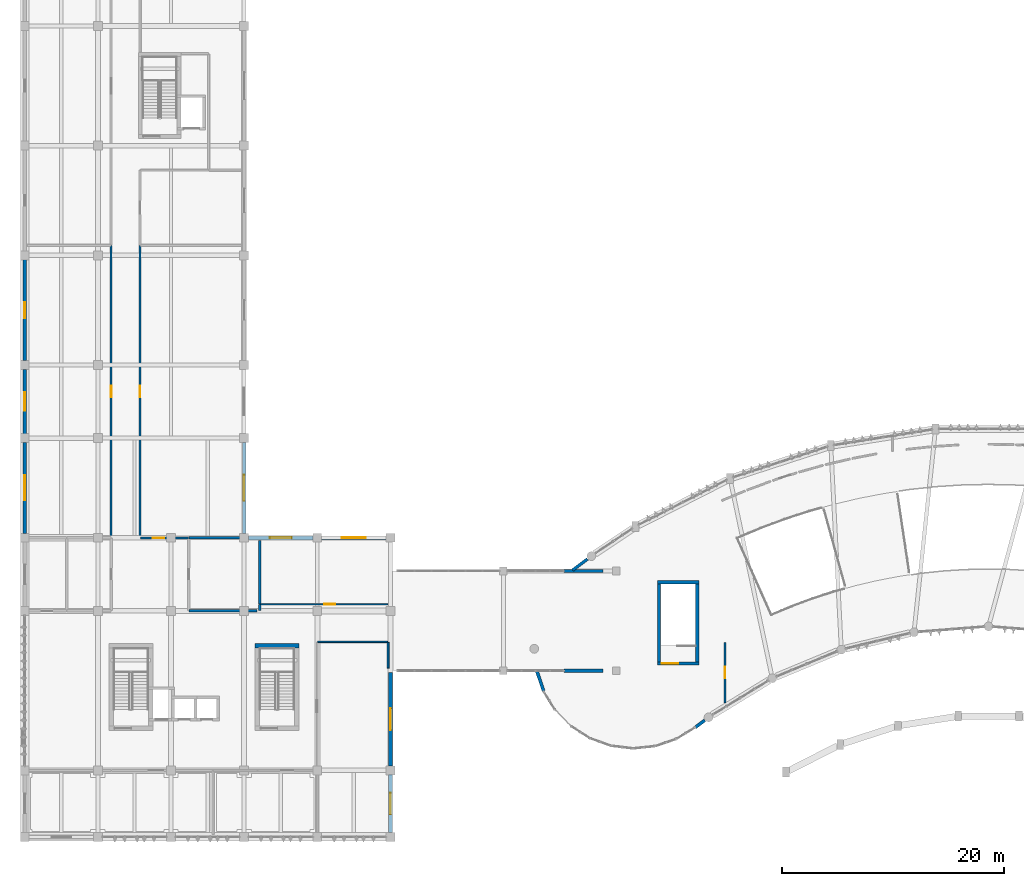
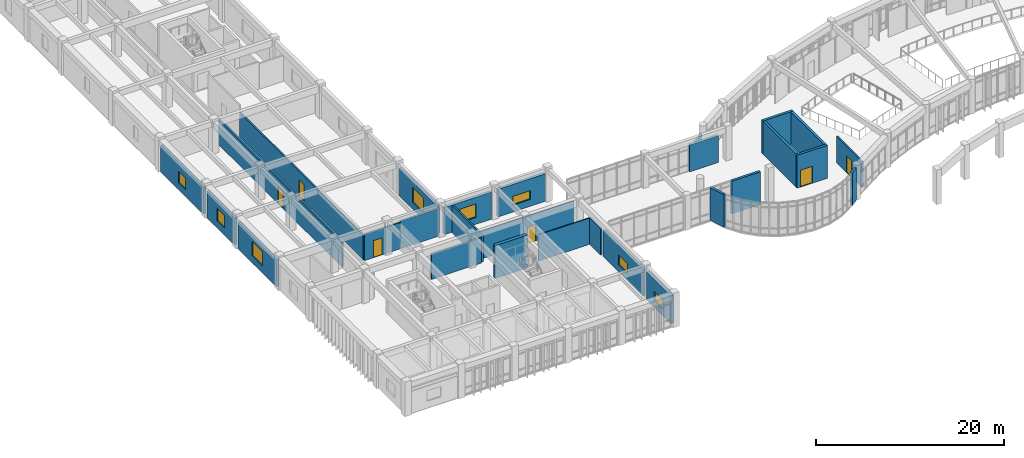
# One storey, part 42 of 54: 29 walls, 8 windows, 6 doors, 14 openings.
"""IFC4 building model written with IfcOpenShell, lengths in metres."""

from ifc_helpers import new_model, si_unit, direction, frame, frame_2d, origin, place, context, subcontext, project, spatial, rectangle, extrude, material, layer, layer_set, type_object, element, fill, save


model = new_model("IFC4")

# Units and contexts
model_context = context("Model", 3, precision=1e-05, world=origin(), true_north=direction((0.0, 1.0)))
body_context = subcontext(model_context, "Body", "Model", "MODEL_VIEW")
ifc_project = project(units=[si_unit("LENGTHUNIT", "METRE"), si_unit("AREAUNIT", "SQUARE_METRE"), si_unit("VOLUMEUNIT", "CUBIC_METRE"), si_unit("PLANEANGLEUNIT", "RADIAN"), si_unit("MASSUNIT", "GRAM", prefix="KILO")], contexts=[model_context])

# Site, building, storey
site_placement = place(None, origin())
site = spatial("IfcSite", under=ifc_project, at=site_placement, CompositionType="ELEMENT")
building_placement = place(site_placement, origin())
building = spatial("IfcBuilding", under=site, at=building_placement, Name="Miralva Faculty of Natural Sciences", CompositionType="ELEMENT")
storey_placement = place(building_placement, frame((0.0, 0.0, 19.5)))
storey = spatial("IfcBuildingStorey", under=building, at=storey_placement, Name="L04", CompositionType="ELEMENT", Elevation=19.5)

# Wall
ifc_material_1 = material(Name="Concrete C50/60", Category="concrete")
ifc_layer_1 = layer(ifc_material_1, 0.39990234375, Name="WL-CW01")
ifc_layer_set_1 = layer_set([ifc_layer_1], Name="Concrete C50/60")
wall_type_1 = type_object("IfcWallType", Name="WL-CW01", PredefinedType="SHEAR", material=ifc_layer_set_1)
wall_1_placement = place(storey_placement, frame((23.800048828125, 20.25, 0.0), z_axis=(0.0, 0.0, 1.0), x_axis=(1.0, 0.0, 0.0)))
element("IfcWall", 1, at=wall_1_placement, inside=storey, type_object=wall_type_1, Name="Core C1B shear wall north L04", PredefinedType="SHEAR", context=body_context, shape_type="SweptSolid", body=[
    extrude(rectangle(XDim=3.949951171875, YDim=0.39990234375, at=frame_2d((1.97509765625, 0.0))), origin(), (0.0, 0.0, 1.0), 4.280029296875),
])

# Wall, opening, door
ifc_material_2 = material(Name="Concrete C40/50", Category="concrete")
ifc_layer_2 = layer(ifc_material_2, 0.300048828125, Name="WL-CW03")
ifc_layer_set_2 = layer_set([ifc_layer_2], Name="Concrete C40/50")
wall_type_2 = type_object("IfcWallType", Name="WL-CW03", PredefinedType="SHEAR", material=ifc_layer_set_2)
wall_2_placement = place(storey_placement, frame((60.10009765625, 18.64990234375, 0.0), z_axis=(0.0, 0.0, 1.0), x_axis=(1.0, 0.0, 0.0)))
wall_2 = element("IfcWall", 2, at=wall_2_placement, inside=storey, type_object=wall_type_2, Name="Core C6 shear wall south L04", PredefinedType="SHEAR", context=body_context, shape_type="SweptSolid", body=[
    extrude(rectangle(XDim=3.75, YDim=0.300048828125, at=frame_2d((1.875, 0.0))), origin(), (0.0, 0.0, 1.0), 4.280029296875),
])
opening_1_placement = place(wall_2_placement, frame((0.39990234375, 0.0, 0.0)))
opening_1 = element("IfcOpeningElement", 3, at=opening_1_placement, cuts=wall_2, Name="Opening D-11", PredefinedType="OPENING", context=body_context, shape_type="SweptSolid", body=[
    extrude(rectangle(XDim=1.5, YDim=2.199951171875, at=frame_2d((0.75, 1.10009765625))), frame((0.0, 0.159912109375, 0.0), z_axis=(0.0, -1.0, 0.0), x_axis=(1.0, 0.0, 0.0)), (0.0, 0.0, 1.0), 0.320068359375),
])
ifc_material_3 = material(Name="Galvanised steel", Category="steel")
door_type_1 = type_object("IfcDoorType", Name="DR-DI11", OperationType="DOUBLE_DOOR_SINGLE_SWING", PredefinedType="DOOR", material=ifc_material_3)
door_1_placement = place(opening_1_placement, frame((1.5, 0.0, 0.0), z_axis=(0.0, 0.0, 1.0), x_axis=(-1.0, 0.0, 0.0)))
door_1 = element("IfcDoor", 4, at=door_1_placement, inside=storey, type_object=door_type_1, Name="Protected exit stair door Core C6 L04", OperationType="DOUBLE_DOOR_SINGLE_SWING", OverallHeight=2.199951171875, OverallWidth=1.5, PredefinedType="DOOR", context=body_context, shape_type="SweptSolid", body=[
    extrude(rectangle(XDim=1.5, YDim=2.199951171875, at=frame_2d((0.75, 1.10009765625))), frame((0.0, 0.02490234375, 0.0), z_axis=(0.0, -1.0, 0.0), x_axis=(1.0, 0.0, 0.0)), (0.0, 0.0, 1.0), 0.050048828125),
])
fill(opening_1, door_1)

# Walls
wall_3_placement = place(storey_placement, frame((60.10009765625, 26.0, 0.0), z_axis=(0.0, 0.0, 1.0), x_axis=(1.0, 0.0, 0.0)))
element("IfcWall", 5, at=wall_3_placement, inside=storey, type_object=wall_type_2, Name="Core C6 shear wall north L04", PredefinedType="SHEAR", context=body_context, shape_type="SweptSolid", body=[
    extrude(rectangle(XDim=3.75, YDim=0.300048828125, at=frame_2d((1.875, 0.0))), origin(), (0.0, 0.0, 1.0), 4.280029296875),
])
for number, where, z_axis, x_axis, name in (
    (6, (60.25, 18.800048828125, 0.0), (0.0, 0.0, 1.0), (0.0, 1.0, 0.0), "Core C6 shear wall west L04"),
    (7, (63.699951171875, 18.800048828125, 0.0), (0.0, 0.0, 1.0), (0.0, 1.0, 0.0), "Core C6 shear wall east L04"),
):
    element("IfcWall", number, at=place(storey_placement, frame(where, z_axis=z_axis, x_axis=x_axis)), inside=storey, type_object=wall_type_2, Name=name, PredefinedType="SHEAR", context=body_context, shape_type="SweptSolid", body=[
        extrude(rectangle(XDim=7.050048828125, YDim=0.300048828125, at=frame_2d((3.52490234375, 0.0))), origin(), (0.0, 0.0, 1.0), 4.280029296875),
    ])
ifc_material_4 = material(Name="Gypsum plasterboard")
ifc_layer_3 = layer(ifc_material_4, 0.179931640625, Name="WL-PT02")
ifc_layer_set_3 = layer_set([ifc_layer_3], Name="Gypsum plasterboard")
wall_type_3 = type_object("IfcWallType", Name="WL-PT02", PredefinedType="PARTITIONING", material=ifc_layer_set_3)
wall_4_placement = place(storey_placement, frame((35.800048828125, 18.22998046875, 0.0), z_axis=(0.0, 0.0, 1.0), x_axis=(0.0, 1.0, 0.0)))
element("IfcWall", 8, at=wall_4_placement, inside=storey, type_object=wall_type_3, Name="Interior partition PT-02 L04-405", PredefinedType="PARTITIONING", context=body_context, shape_type="SweptSolid", body=[
    extrude(rectangle(XDim=2.340087890625, YDim=0.179931640625, at=frame_2d((1.169921875, 0.0))), origin(), (0.0, 0.0, 1.0), 3.425048828125),
])

# Wall, opening, door
wall_5_placement = place(storey_placement, frame((13.429931640625, 30.0, 0.0), z_axis=(0.0, 0.0, 1.0), x_axis=(1.0, 0.0, 0.0)))
wall_5 = element("IfcWall", 9, at=wall_5_placement, inside=storey, type_object=wall_type_3, Name="Interior partition PT-02 L04-418", PredefinedType="PARTITIONING", context=body_context, shape_type="SweptSolid", body=[
    extrude(rectangle(XDim=4.340087890625, YDim=0.179931640625, at=frame_2d((2.169921875, 0.0))), origin(), (0.0, 0.0, 1.0), 3.425048828125),
])
opening_2_placement = place(wall_5_placement, frame((1.10498046875, 0.0, 0.0)))
opening_2 = element("IfcOpeningElement", 10, at=opening_2_placement, cuts=wall_5, Name="Opening D-15", PredefinedType="OPENING", context=body_context, shape_type="SweptSolid", body=[
    extrude(rectangle(XDim=1.050048828125, YDim=2.199951171875, at=frame_2d((0.52490234375, 1.10009765625))), frame((0.0, 0.099853515625, 0.0), z_axis=(0.0, -1.0, 0.0), x_axis=(1.0, 0.0, 0.0)), (0.0, 0.0, 1.0), 0.199951171875),
])
door_type_2 = type_object("IfcDoorType", Name="DR-DI15", OperationType="NOTDEFINED", PredefinedType="DOOR", material=ifc_material_3)
door_2_placement = place(opening_2_placement, origin())
door_2 = element("IfcDoor", 11, at=door_2_placement, inside=storey, type_object=door_type_2, Name="Interior door D-15 L04-155", OperationType="SINGLE_SWING_RIGHT", OverallHeight=2.199951171875, OverallWidth=1.050048828125, PredefinedType="DOOR", context=body_context, shape_type="SweptSolid", body=[
    extrude(rectangle(XDim=1.050048828125, YDim=2.199951171875, at=frame_2d((0.52490234375, 1.10009765625))), frame((0.0, 0.02490234375, 0.0), z_axis=(0.0, -1.0, 0.0), x_axis=(1.0, 0.0, 0.0)), (0.0, 0.0, 1.0), 0.050048828125),
])
fill(opening_2, door_2)

wall_6_placement = place(storey_placement, frame((66.199951171875, 15.104736328125, 0.0), z_axis=(0.0, 0.0, 1.0), x_axis=(0.0, 1.0, 0.0)))
wall_6 = element("IfcWall", 12, at=wall_6_placement, inside=storey, type_object=wall_type_3, Name="Interior partition PT-02 L04-439", PredefinedType="PARTITIONING", context=body_context, shape_type="SweptSolid", body=[
    extrude(rectangle(XDim=5.46533203125, YDim=0.179931640625, at=frame_2d((2.732666015625, 0.0))), origin(), (0.0, 0.0, 1.0), 3.405029296875),
])
opening_3_placement = place(wall_6_placement, frame((2.20751953125, 0.0, 0.0)))
opening_3 = element("IfcOpeningElement", 13, at=opening_3_placement, cuts=wall_6, Name="Opening D-15", PredefinedType="OPENING", context=body_context, shape_type="SweptSolid", body=[
    extrude(rectangle(XDim=1.050048828125, YDim=2.199951171875, at=frame_2d((0.52490234375, 1.10009765625))), frame((0.0, 0.099853515625, 0.0), z_axis=(0.0, -1.0, 0.0), x_axis=(1.0, 0.0, 0.0)), (0.0, 0.0, 1.0), 0.199951171875),
])
door_3_placement = place(opening_3_placement, origin())
door_3 = element("IfcDoor", 14, at=door_3_placement, inside=storey, type_object=door_type_2, Name="Interior door D-15 L04-157", OperationType="SINGLE_SWING_RIGHT", OverallHeight=2.199951171875, OverallWidth=1.050048828125, PredefinedType="DOOR", context=body_context, shape_type="SweptSolid", body=[
    extrude(rectangle(XDim=1.050048828125, YDim=2.199951171875, at=frame_2d((0.52490234375, 1.10009765625))), frame((0.0, 0.02490234375, 0.0), z_axis=(0.0, -1.0, 0.0), x_axis=(1.0, 0.0, 0.0)), (0.0, 0.0, 1.0), 0.050048828125),
])
fill(opening_3, door_3)

wall_7_placement = place(storey_placement, frame((10.800048828125, 30.030029296875, 0.0), z_axis=(0.0, 0.0, 1.0), x_axis=(0.0, 1.0, 0.0)))
wall_7 = element("IfcWall", 15, at=wall_7_placement, inside=storey, type_object=wall_type_3, Name="Interior partition PT-02 L04-443", PredefinedType="PARTITIONING", context=body_context, shape_type="SweptSolid", body=[
    extrude(rectangle(XDim=26.340087890625, YDim=0.179931640625, at=frame_2d((13.169921875, 0.0))), origin(), (0.0, 0.0, 1.0), 3.294921875),
])
opening_4_placement = place(wall_7_placement, frame((12.64501953125, 0.0, 0.0)))
opening_4 = element("IfcOpeningElement", 16, at=opening_4_placement, cuts=wall_7, Name="Opening D-15", PredefinedType="OPENING", context=body_context, shape_type="SweptSolid", body=[
    extrude(rectangle(XDim=1.050048828125, YDim=2.199951171875, at=frame_2d((0.52490234375, 1.10009765625))), frame((0.0, 0.099853515625, 0.0), z_axis=(0.0, -1.0, 0.0), x_axis=(1.0, 0.0, 0.0)), (0.0, 0.0, 1.0), 0.199951171875),
])
door_4_placement = place(opening_4_placement, origin())
door_4 = element("IfcDoor", 17, at=door_4_placement, inside=storey, type_object=door_type_2, Name="Interior door D-15 L04-161", OperationType="SINGLE_SWING_RIGHT", OverallHeight=2.199951171875, OverallWidth=1.050048828125, PredefinedType="DOOR", context=body_context, shape_type="SweptSolid", body=[
    extrude(rectangle(XDim=1.050048828125, YDim=2.199951171875, at=frame_2d((0.52490234375, 1.10009765625))), frame((0.0, 0.02490234375, 0.0), z_axis=(0.0, -1.0, 0.0), x_axis=(1.0, 0.0, 0.0)), (0.0, 0.0, 1.0), 0.050048828125),
])
fill(opening_4, door_4)

wall_8_placement = place(storey_placement, frame((13.39990234375, 30.030029296875, 0.0), z_axis=(0.0, 0.0, 1.0), x_axis=(0.0, 1.0, 0.0)))
wall_8 = element("IfcWall", 18, at=wall_8_placement, inside=storey, type_object=wall_type_3, Name="Interior partition PT-02 L04-445", PredefinedType="PARTITIONING", context=body_context, shape_type="SweptSolid", body=[
    extrude(rectangle(XDim=26.340087890625, YDim=0.179931640625, at=frame_2d((13.169921875, 0.0))), origin(), (0.0, 0.0, 1.0), 3.294921875),
])
opening_5_placement = place(wall_8_placement, frame((12.64501953125, 0.0, 0.0)))
opening_5 = element("IfcOpeningElement", 19, at=opening_5_placement, cuts=wall_8, Name="Opening D-15", PredefinedType="OPENING", context=body_context, shape_type="SweptSolid", body=[
    extrude(rectangle(XDim=1.050048828125, YDim=2.199951171875, at=frame_2d((0.52490234375, 1.10009765625))), frame((0.0, 0.099853515625, 0.0), z_axis=(0.0, -1.0, 0.0), x_axis=(1.0, 0.0, 0.0)), (0.0, 0.0, 1.0), 0.199951171875),
])
door_5_placement = place(opening_5_placement, origin())
door_5 = element("IfcDoor", 20, at=door_5_placement, inside=storey, type_object=door_type_2, Name="Interior door D-15 L04-162", OperationType="SINGLE_SWING_LEFT", OverallHeight=2.199951171875, OverallWidth=1.050048828125, PredefinedType="DOOR", context=body_context, shape_type="SweptSolid", body=[
    extrude(rectangle(XDim=1.050048828125, YDim=2.199951171875, at=frame_2d((0.52490234375, 1.10009765625))), frame((0.0, 0.02490234375, 0.0), z_axis=(0.0, -1.0, 0.0), x_axis=(1.0, 0.0, 0.0)), (0.0, 0.0, 1.0), 0.050048828125),
])
fill(opening_5, door_5)

# Wall
ifc_layer_4 = layer(ifc_material_4, 0.125, Name="WL-PT05")
ifc_layer_set_4 = layer_set([ifc_layer_4], Name="Gypsum plasterboard")
wall_type_4 = type_object("IfcWallType", Name="WL-PT05", PredefinedType="PARTITIONING", material=ifc_layer_set_4)
wall_9_placement = place(storey_placement, frame((29.429931640625, 20.60009765625, 0.0), z_axis=(0.0, 0.0, 1.0), x_axis=(1.0, 0.0, 0.0)))
element("IfcWall", 21, at=wall_9_placement, inside=storey, type_object=wall_type_4, Name="Interior partition PT-05 L04-404", PredefinedType="PARTITIONING", context=body_context, shape_type="SweptSolid", body=[
    extrude(rectangle(XDim=6.340087890625, YDim=0.125, at=frame_2d((3.169921875, 0.0))), origin(), (0.0, 0.0, 1.0), 3.425048828125),
])

# Wall, opening, door
wall_10_placement = place(storey_placement, frame((24.22998046875, 24.0, 0.0), z_axis=(0.0, 0.0, 1.0), x_axis=(1.0, 0.0, 0.0)))
wall_10 = element("IfcWall", 22, at=wall_10_placement, inside=storey, type_object=wall_type_4, Name="Interior partition PT-05 L04-417", PredefinedType="PARTITIONING", context=body_context, shape_type="SweptSolid", body=[
    extrude(rectangle(XDim=11.5400390625, YDim=0.125, at=frame_2d((5.77001953125, 0.0))), origin(), (0.0, 0.0, 1.0), 3.594970703125),
])
opening_6_placement = place(wall_10_placement, frame((5.81005859375, 0.0, 0.0)))
opening_6 = element("IfcOpeningElement", 23, at=opening_6_placement, cuts=wall_10, Name="Opening D-25", PredefinedType="OPENING", context=body_context, shape_type="SweptSolid", body=[
    extrude(rectangle(XDim=1.0, YDim=2.14990234375, at=frame_2d((0.5, 1.074951171875))), frame((0.0, 0.072509765625, 0.0), z_axis=(0.0, -1.0, 0.0), x_axis=(1.0, 0.0, 0.0)), (0.0, 0.0, 1.0), 0.14501953125),
])
ifc_material_5 = material(Name="Anodised aluminium", Category="aluminium")
door_type_3 = type_object("IfcDoorType", Name="DR-DI25", OperationType="NOTDEFINED", PredefinedType="DOOR", material=ifc_material_5)
door_6_placement = place(opening_6_placement, origin())
door_6 = element("IfcDoor", 24, at=door_6_placement, inside=storey, type_object=door_type_3, Name="Interior door D-25 L04-154", OperationType="SINGLE_SWING_LEFT", OverallHeight=2.14990234375, OverallWidth=1.0, PredefinedType="DOOR", context=body_context, shape_type="SweptSolid", body=[
    extrude(rectangle(XDim=1.0, YDim=2.14990234375, at=frame_2d((0.5, 1.074951171875))), frame((0.0, 0.02490234375, 0.0), z_axis=(0.0, -1.0, 0.0), x_axis=(1.0, 0.0, 0.0)), (0.0, 0.0, 1.0), 0.050048828125),
])
fill(opening_6, door_6)

# Walls
ifc_layer_5 = layer(ifc_material_4, 0.2099609375, Name="WL-PT06")
ifc_layer_set_5 = layer_set([ifc_layer_5], Name="Gypsum plasterboard")
wall_type_5 = type_object("IfcWallType", Name="WL-PT06", PredefinedType="PLUMBINGWALL", material=ifc_layer_set_5)
wall_11_placement = place(storey_placement, frame((24.199951171875, 24.030029296875, 0.0), z_axis=(0.0, 0.0, 1.0), x_axis=(0.0, 1.0, 0.0)))
element("IfcWall", 25, at=wall_11_placement, inside=storey, type_object=wall_type_5, Name="Interior partition PT-06 L04-412", PredefinedType="PLUMBINGWALL", context=body_context, shape_type="SweptSolid", body=[
    extrude(rectangle(XDim=5.739990234375, YDim=0.2099609375, at=frame_2d((2.8701171875, 0.0))), origin(), (0.0, 0.0, 1.0), 3.52490234375),
])
wall_12_placement = place(storey_placement, frame((24.199951171875, 23.429931640625, 0.0), z_axis=(0.0, 0.0, 1.0), x_axis=(0.0, 1.0, 0.0)))
element("IfcWall", 26, at=wall_12_placement, inside=storey, type_object=wall_type_5, Name="Interior partition PT-06 L04-413", PredefinedType="PLUMBINGWALL", context=body_context, shape_type="SweptSolid", body=[
    extrude(rectangle(XDim=0.5400390625, YDim=0.2099609375, at=frame_2d((0.27001953125, 0.0))), origin(), (0.0, 0.0, 1.0), 3.52490234375),
])
wall_13_placement = place(storey_placement, frame((17.830078125, 23.39990234375, 0.0), z_axis=(0.0, 0.0, 1.0), x_axis=(1.0, 0.0, 0.0)))
element("IfcWall", 27, at=wall_13_placement, inside=storey, type_object=wall_type_5, Name="Interior partition PT-06 L04-415", PredefinedType="PLUMBINGWALL", context=body_context, shape_type="SweptSolid", body=[
    extrude(rectangle(XDim=6.139892578125, YDim=0.2099609375, at=frame_2d((3.06982421875, 0.0))), origin(), (0.0, 0.0, 1.0), 3.294921875),
])
wall_14_placement = place(storey_placement, frame((17.830078125, 30.0, 0.0), z_axis=(0.0, 0.0, 1.0), x_axis=(1.0, 0.0, 0.0)))
element("IfcWall", 28, at=wall_14_placement, inside=storey, type_object=wall_type_5, Name="Interior partition PT-06 L04-416", PredefinedType="PLUMBINGWALL", context=body_context, shape_type="SweptSolid", body=[
    extrude(rectangle(XDim=4.739990234375, YDim=0.2099609375, at=frame_2d((2.3701171875, 0.0))), origin(), (0.0, 0.0, 1.0), 3.594970703125),
])

# Wall, opening, window
ifc_material_6 = material(Name="Volcanic tuff architectural stone", Category="masonry")
ifc_layer_6 = layer(ifc_material_6, 0.360107421875, Name="WL-WT01")
ifc_layer_set_6 = layer_set([ifc_layer_6], Name="Volcanic tuff architectural stone")
wall_type_6 = type_object("IfcWallType", Name="WL-WT01", PredefinedType="SOLIDWALL", material=ifc_layer_set_6)
wall_15_placement = place(storey_placement, frame((36.0, 3.385009765625, 0.0), z_axis=(0.0, 0.0, 1.0), x_axis=(0.0, 1.0, 0.0)))
wall_15 = element("IfcWall", 29, at=wall_15_placement, inside=storey, type_object=wall_type_6, Name="Exterior wall L04-94", PredefinedType="SOLIDWALL", context=body_context, shape_type="SweptSolid", body=[
    extrude(rectangle(XDim=5.22998046875, YDim=0.360107421875, at=frame_2d((2.614990234375, 0.0))), origin(), (0.0, 0.0, 1.0), 3.625),
])
opening_7_placement = place(wall_15_placement, frame((1.639892578125, 0.0, 0.89990234375)))
opening_7 = element("IfcOpeningElement", 30, at=opening_7_placement, cuts=wall_15, Name="Opening W-65", PredefinedType="OPENING", context=body_context, shape_type="SweptSolid", body=[
    extrude(rectangle(XDim=1.949951171875, YDim=1.14990234375, at=frame_2d((0.97509765625, 0.574951171875))), frame((0.0, 0.18994140625, 0.0), z_axis=(0.0, -1.0, 0.0), x_axis=(1.0, 0.0, 0.0)), (0.0, 0.0, 1.0), 0.380126953125),
])
ifc_material_7 = material(Name="Laminated solar-control glass", Category="glass")
window_type_1 = type_object("IfcWindowType", Name="WN-W65", PartitioningType="DOUBLE_PANEL_VERTICAL", PredefinedType="WINDOW", material=ifc_material_7)
window_1_placement = place(opening_7_placement, frame((1.949951171875, 0.0, 0.0), z_axis=(0.0, 0.0, 1.0), x_axis=(-1.0, 0.0, 0.0)))
window_1 = element("IfcWindow", 31, at=window_1_placement, inside=storey, type_object=window_type_1, Name="Window W-65 L04-40", OverallHeight=1.14990234375, OverallWidth=1.949951171875, PartitioningType="DOUBLE_PANEL_VERTICAL", PredefinedType="WINDOW", context=body_context, shape_type="SweptSolid", body=[
    extrude(rectangle(XDim=1.949951171875, YDim=1.14990234375, at=frame_2d((0.97509765625, 0.574951171875))), frame((0.0, 0.030029296875, 0.0), z_axis=(0.0, -1.0, 0.0), x_axis=(1.0, 0.0, 0.0)), (0.0, 0.0, 1.0), 0.06005859375),
])
fill(opening_7, window_1)

wall_16_placement = place(storey_placement, frame((36.0, 9.385009765625, 0.0), z_axis=(0.0, 0.0, 1.0), x_axis=(0.0, 1.0, 0.0)))
wall_16 = element("IfcWall", 32, at=wall_16_placement, inside=storey, type_object=wall_type_6, Name="Exterior wall L04-95", PredefinedType="SOLIDWALL", context=body_context, shape_type="SweptSolid", body=[
    extrude(rectangle(XDim=8.465087890625, YDim=0.360107421875, at=frame_2d((4.232421875, 0.0))), origin(), (0.0, 0.0, 1.0), 3.425048828125),
])
opening_8_placement = place(wall_16_placement, frame((3.257568359375, 0.0, 0.89990234375)))
opening_8 = element("IfcOpeningElement", 33, at=opening_8_placement, cuts=wall_16, Name="Opening W-66", PredefinedType="OPENING", context=body_context, shape_type="SweptSolid", body=[
    extrude(rectangle(XDim=1.949951171875, YDim=1.35009765625, at=frame_2d((0.97509765625, 0.675048828125))), frame((0.0, 0.18994140625, 0.0), z_axis=(0.0, -1.0, 0.0), x_axis=(1.0, 0.0, 0.0)), (0.0, 0.0, 1.0), 0.380126953125),
])
window_type_2 = type_object("IfcWindowType", Name="WN-W66", PartitioningType="DOUBLE_PANEL_VERTICAL", PredefinedType="WINDOW", material=ifc_material_7)
window_2_placement = place(opening_8_placement, frame((1.949951171875, 0.0, 0.0), z_axis=(0.0, 0.0, 1.0), x_axis=(-1.0, 0.0, 0.0)))
window_2 = element("IfcWindow", 34, at=window_2_placement, inside=storey, type_object=window_type_2, Name="Window W-66 L04-41", OverallHeight=1.35009765625, OverallWidth=1.949951171875, PartitioningType="DOUBLE_PANEL_VERTICAL", PredefinedType="WINDOW", context=body_context, shape_type="SweptSolid", body=[
    extrude(rectangle(XDim=1.949951171875, YDim=1.35009765625, at=frame_2d((0.97509765625, 0.675048828125))), frame((0.0, 0.030029296875, 0.0), z_axis=(0.0, -1.0, 0.0), x_axis=(1.0, 0.0, 0.0)), (0.0, 0.0, 1.0), 0.06005859375),
])
fill(opening_8, window_2)

wall_17_placement = place(storey_placement, frame((23.18505859375, 30.0, 0.0), z_axis=(0.0, 0.0, 1.0), x_axis=(1.0, 0.0, 0.0)))
wall_17 = element("IfcWall", 35, at=wall_17_placement, inside=storey, type_object=wall_type_6, Name="Exterior wall L04-96", PredefinedType="SOLIDWALL", context=body_context, shape_type="SweptSolid", body=[
    extrude(rectangle(XDim=5.829833984375, YDim=0.360107421875, at=frame_2d((2.9150390625, 0.0))), origin(), (0.0, 0.0, 1.0), 3.52490234375),
])
opening_9_placement = place(wall_17_placement, frame((1.93994140625, 0.0, 0.89990234375)))
opening_9 = element("IfcOpeningElement", 36, at=opening_9_placement, cuts=wall_17, Name="Opening W-68", PredefinedType="OPENING", context=body_context, shape_type="SweptSolid", body=[
    extrude(rectangle(XDim=1.949951171875, YDim=1.75, at=frame_2d((0.97509765625, 0.875))), frame((0.0, 0.18994140625, 0.0), z_axis=(0.0, -1.0, 0.0), x_axis=(1.0, 0.0, 0.0)), (0.0, 0.0, 1.0), 0.380126953125),
])
window_type_3 = type_object("IfcWindowType", Name="WN-W68", PartitioningType="DOUBLE_PANEL_VERTICAL", PredefinedType="WINDOW", material=ifc_material_7)
window_3_placement = place(opening_9_placement, origin())
window_3 = element("IfcWindow", 37, at=window_3_placement, inside=storey, type_object=window_type_3, Name="Window W-68 L04-42", OverallHeight=1.75, OverallWidth=1.949951171875, PartitioningType="DOUBLE_PANEL_VERTICAL", PredefinedType="WINDOW", context=body_context, shape_type="SweptSolid", body=[
    extrude(rectangle(XDim=1.949951171875, YDim=1.75, at=frame_2d((0.97509765625, 0.875))), frame((0.0, 0.030029296875, 0.0), z_axis=(0.0, -1.0, 0.0), x_axis=(1.0, 0.0, 0.0)), (0.0, 0.0, 1.0), 0.06005859375),
])
fill(opening_9, window_3)

wall_18_placement = place(storey_placement, frame((29.784912109375, 30.0, 0.0), z_axis=(0.0, 0.0, 1.0), x_axis=(1.0, 0.0, 0.0)))
wall_18 = element("IfcWall", 38, at=wall_18_placement, inside=storey, type_object=wall_type_6, Name="Exterior wall L04-97", PredefinedType="SOLIDWALL", context=body_context, shape_type="SweptSolid", body=[
    extrude(rectangle(XDim=5.830078125, YDim=0.360107421875, at=frame_2d((2.9150390625, 0.0))), origin(), (0.0, 0.0, 1.0), 3.594970703125),
])
opening_10_placement = place(wall_18_placement, frame((1.840087890625, 0.0, 0.89990234375)))
opening_10 = element("IfcOpeningElement", 39, at=opening_10_placement, cuts=wall_18, Name="Opening W-69", PredefinedType="OPENING", context=body_context, shape_type="SweptSolid", body=[
    extrude(rectangle(XDim=2.14990234375, YDim=1.14990234375, at=frame_2d((1.074951171875, 0.574951171875))), frame((0.0, 0.18994140625, 0.0), z_axis=(0.0, -1.0, 0.0), x_axis=(1.0, 0.0, 0.0)), (0.0, 0.0, 1.0), 0.380126953125),
])
window_type_4 = type_object("IfcWindowType", Name="WN-W69", PartitioningType="DOUBLE_PANEL_VERTICAL", PredefinedType="WINDOW", material=ifc_material_7)
window_4_placement = place(opening_10_placement, origin())
window_4 = element("IfcWindow", 40, at=window_4_placement, inside=storey, type_object=window_type_4, Name="Window W-69 L04-43", OverallHeight=1.14990234375, OverallWidth=2.14990234375, PartitioningType="DOUBLE_PANEL_VERTICAL", PredefinedType="WINDOW", context=body_context, shape_type="SweptSolid", body=[
    extrude(rectangle(XDim=2.14990234375, YDim=1.14990234375, at=frame_2d((1.074951171875, 0.574951171875))), frame((0.0, 0.030029296875, 0.0), z_axis=(0.0, -1.0, 0.0), x_axis=(1.0, 0.0, 0.0)), (0.0, 0.0, 1.0), 0.06005859375),
])
fill(opening_10, window_4)

ifc_material_8 = material(Name="Precast concrete C40/50", Category="concrete")
ifc_layer_7 = layer(ifc_material_8, 0.320068359375, Name="WL-WT02")
ifc_layer_set_7 = layer_set([ifc_layer_7], Name="Precast concrete C40/50")
wall_type_7 = type_object("IfcWallType", Name="WL-WT02", PredefinedType="SOLIDWALL", material=ifc_layer_set_7)
wall_19_placement = place(storey_placement, frame((3.0, 30.385009765625, 0.0), z_axis=(0.0, 0.0, 1.0), x_axis=(0.0, 1.0, 0.0)))
wall_19 = element("IfcWall", 41, at=wall_19_placement, inside=storey, type_object=wall_type_7, Name="Exterior wall L04-254", PredefinedType="SOLIDWALL", context=body_context, shape_type="SweptSolid", body=[
    extrude(rectangle(XDim=8.22998046875, YDim=0.320068359375, at=frame_2d((4.114990234375, 0.0))), origin(), (0.0, 0.0, 1.0), 3.47509765625),
])
opening_11_placement = place(wall_19_placement, frame((2.989990234375, 0.0, 0.89990234375)))
opening_11 = element("IfcOpeningElement", 42, at=opening_11_placement, cuts=wall_19, Name="Opening W-12", PredefinedType="OPENING", context=body_context, shape_type="SweptSolid", body=[
    extrude(rectangle(XDim=2.25, YDim=1.85009765625, at=frame_2d((1.125, 0.925048828125))), frame((0.0, 0.169921875, 0.0), z_axis=(0.0, -1.0, 0.0), x_axis=(1.0, 0.0, 0.0)), (0.0, 0.0, 1.0), 0.340087890625),
])
window_type_5 = type_object("IfcWindowType", Name="WN-W12", PartitioningType="DOUBLE_PANEL_VERTICAL", PredefinedType="WINDOW", material=ifc_material_7)
window_5_placement = place(opening_11_placement, origin())
window_5 = element("IfcWindow", 43, at=window_5_placement, inside=storey, type_object=window_type_5, Name="Window W-12 L04-191", OverallHeight=1.85009765625, OverallWidth=2.25, PartitioningType="DOUBLE_PANEL_VERTICAL", PredefinedType="WINDOW", context=body_context, shape_type="SweptSolid", body=[
    extrude(rectangle(XDim=2.25, YDim=1.85009765625, at=frame_2d((1.125, 0.925048828125))), frame((0.0, 0.030029296875, 0.0), z_axis=(0.0, -1.0, 0.0), x_axis=(1.0, 0.0, 0.0)), (0.0, 0.0, 1.0), 0.06005859375),
])
fill(opening_11, window_5)

wall_20_placement = place(storey_placement, frame((3.0, 39.385009765625, 0.0), z_axis=(0.0, 0.0, 1.0), x_axis=(0.0, 1.0, 0.0)))
wall_20 = element("IfcWall", 44, at=wall_20_placement, inside=storey, type_object=wall_type_7, Name="Exterior wall L04-255", PredefinedType="SOLIDWALL", context=body_context, shape_type="SweptSolid", body=[
    extrude(rectangle(XDim=5.830078125, YDim=0.320068359375, at=frame_2d((2.9150390625, 0.0))), origin(), (0.0, 0.0, 1.0), 3.47509765625),
])
opening_12_placement = place(wall_20_placement, frame((2.090087890625, 0.0, 0.89990234375)))
opening_12 = element("IfcOpeningElement", 45, at=opening_12_placement, cuts=wall_20, Name="Opening W-18", PredefinedType="OPENING", context=body_context, shape_type="SweptSolid", body=[
    extrude(rectangle(XDim=1.64990234375, YDim=1.64990234375, at=frame_2d((0.824951171875, 0.824951171875))), frame((0.0, 0.169921875, 0.0), z_axis=(0.0, -1.0, 0.0), x_axis=(1.0, 0.0, 0.0)), (0.0, 0.0, 1.0), 0.340087890625),
])
window_type_6 = type_object("IfcWindowType", Name="WN-W18", PartitioningType="SINGLE_PANEL", PredefinedType="WINDOW", material=ifc_material_7)
window_6_placement = place(opening_12_placement, origin())
window_6 = element("IfcWindow", 46, at=window_6_placement, inside=storey, type_object=window_type_6, Name="Window W-18 L04-192", OverallHeight=1.64990234375, OverallWidth=1.64990234375, PartitioningType="SINGLE_PANEL", PredefinedType="WINDOW", context=body_context, shape_type="SweptSolid", body=[
    extrude(rectangle(XDim=1.64990234375, YDim=1.64990234375, at=frame_2d((0.824951171875, 0.824951171875))), frame((0.0, 0.030029296875, 0.0), z_axis=(0.0, -1.0, 0.0), x_axis=(1.0, 0.0, 0.0)), (0.0, 0.0, 1.0), 0.06005859375),
])
fill(opening_12, window_6)

wall_21_placement = place(storey_placement, frame((3.0, 45.985107421875, 0.0), z_axis=(0.0, 0.0, 1.0), x_axis=(0.0, 1.0, 0.0)))
wall_21 = element("IfcWall", 47, at=wall_21_placement, inside=storey, type_object=wall_type_7, Name="Exterior wall L04-256", PredefinedType="SOLIDWALL", context=body_context, shape_type="SweptSolid", body=[
    extrude(rectangle(XDim=9.1298828125, YDim=0.320068359375, at=frame_2d((4.56494140625, 0.0))), origin(), (0.0, 0.0, 1.0), 3.47509765625),
])
opening_13_placement = place(wall_21_placement, frame((3.840087890625, 0.0, 0.89990234375)))
opening_13 = element("IfcOpeningElement", 48, at=opening_13_placement, cuts=wall_21, Name="Opening W-19", PredefinedType="OPENING", context=body_context, shape_type="SweptSolid", body=[
    extrude(rectangle(XDim=1.449951171875, YDim=1.5, at=frame_2d((0.72509765625, 0.75))), frame((0.0, 0.169921875, 0.0), z_axis=(0.0, -1.0, 0.0), x_axis=(1.0, 0.0, 0.0)), (0.0, 0.0, 1.0), 0.340087890625),
])
window_type_7 = type_object("IfcWindowType", Name="WN-W19", PartitioningType="SINGLE_PANEL", PredefinedType="WINDOW", material=ifc_material_7)
window_7_placement = place(opening_13_placement, origin())
window_7 = element("IfcWindow", 49, at=window_7_placement, inside=storey, type_object=window_type_7, Name="Window W-19 L04-193", OverallHeight=1.5, OverallWidth=1.449951171875, PartitioningType="SINGLE_PANEL", PredefinedType="WINDOW", context=body_context, shape_type="SweptSolid", body=[
    extrude(rectangle(XDim=1.449951171875, YDim=1.5, at=frame_2d((0.72509765625, 0.75))), frame((0.0, 0.030029296875, 0.0), z_axis=(0.0, -1.0, 0.0), x_axis=(1.0, 0.0, 0.0)), (0.0, 0.0, 1.0), 0.06005859375),
])
fill(opening_13, window_7)

wall_22_placement = place(storey_placement, frame((22.800048828125, 30.385009765625, 0.0), z_axis=(0.0, 0.0, 1.0), x_axis=(0.0, 1.0, 0.0)))
wall_22 = element("IfcWall", 50, at=wall_22_placement, inside=storey, type_object=wall_type_7, Name="Exterior wall L04-261", PredefinedType="SOLIDWALL", context=body_context, shape_type="SweptSolid", body=[
    extrude(rectangle(XDim=8.22998046875, YDim=0.320068359375, at=frame_2d((4.114990234375, 0.0))), origin(), (0.0, 0.0, 1.0), 3.52490234375),
])
opening_14_placement = place(wall_22_placement, frame((2.93994140625, 0.0, 0.89990234375)))
opening_14 = element("IfcOpeningElement", 51, at=opening_14_placement, cuts=wall_22, Name="Opening W-30", PredefinedType="OPENING", context=body_context, shape_type="SweptSolid", body=[
    extrude(rectangle(XDim=2.35009765625, YDim=1.89990234375, at=frame_2d((1.175048828125, 0.949951171875))), frame((0.0, 0.169921875, 0.0), z_axis=(0.0, -1.0, 0.0), x_axis=(1.0, 0.0, 0.0)), (0.0, 0.0, 1.0), 0.340087890625),
])
window_type_8 = type_object("IfcWindowType", Name="WN-W30", PartitioningType="DOUBLE_PANEL_VERTICAL", PredefinedType="WINDOW", material=ifc_material_7)
window_8_placement = place(opening_14_placement, frame((2.35009765625, 0.0, 0.0), z_axis=(0.0, 0.0, 1.0), x_axis=(-1.0, 0.0, 0.0)))
window_8 = element("IfcWindow", 52, at=window_8_placement, inside=storey, type_object=window_type_8, Name="Window W-30 L04-198", OverallHeight=1.89990234375, OverallWidth=2.35009765625, PartitioningType="DOUBLE_PANEL_VERTICAL", PredefinedType="WINDOW", context=body_context, shape_type="SweptSolid", body=[
    extrude(rectangle(XDim=2.35009765625, YDim=1.89990234375, at=frame_2d((1.175048828125, 0.949951171875))), frame((0.0, 0.030029296875, 0.0), z_axis=(0.0, -1.0, 0.0), x_axis=(1.0, 0.0, 0.0)), (0.0, 0.0, 1.0), 0.06005859375),
])
fill(opening_14, window_8)

# Walls
ifc_layer_8 = layer(ifc_material_8, 0.2900390625, Name="WL-WT03")
ifc_layer_set_8 = layer_set([ifc_layer_8], Name="Precast concrete C40/50")
wall_type_8 = type_object("IfcWallType", Name="WL-WT03", PredefinedType="SOLIDWALL", material=ifc_layer_set_8)
wall_23_placement = place(storey_placement, frame((63.526611328125, 12.884521484375, 0.0), z_axis=(0.0, 0.0, 1.0), x_axis=(0.798608971494, 0.601850239387, 0.0)))
element("IfcWall", 53, at=wall_23_placement, inside=storey, type_object=wall_type_8, Name="Exterior wall L04-46", PredefinedType="SOLIDWALL", context=body_context, shape_type="SweptSolid", body=[
    extrude(rectangle(XDim=1.07568359375, YDim=0.2900390625, at=frame_2d((0.537841796875, 0.0))), origin(), (0.0, 0.0, 1.0), 4.25),
])
wall_24_placement = place(storey_placement, frame((49.191650390625, 18.0615234375, 0.0), z_axis=(0.0, 0.0, 1.0), x_axis=(0.32082801478, -0.947137468867, 0.0)))
element("IfcWall", 54, at=wall_24_placement, inside=storey, type_object=wall_type_8, Name="Exterior wall L04-51", PredefinedType="SOLIDWALL", context=body_context, shape_type="SweptSolid", body=[
    extrude(rectangle(XDim=2.020263671875, YDim=0.2900390625, at=frame_2d((1.01025390625, 0.0))), origin(), (0.0, 0.0, 1.0), 4.25),
])
wall_25_placement = place(storey_placement, frame((51.675048828125, 18.0, 0.0), z_axis=(0.0, 0.0, 1.0), x_axis=(1.0, 0.0, 0.0)))
element("IfcWall", 55, at=wall_25_placement, inside=storey, type_object=wall_type_8, Name="Exterior wall L04-367", PredefinedType="SOLIDWALL", context=body_context, shape_type="SweptSolid", body=[
    extrude(rectangle(XDim=3.52490234375, YDim=0.2900390625, at=frame_2d((1.762451171875, 0.0))), origin(), (0.0, 0.0, 1.0), 4.25),
])
wall_26_placement = place(storey_placement, frame((51.675048828125, 27.0, 0.0), z_axis=(0.0, 0.0, 1.0), x_axis=(1.0, 0.0, 0.0)))
element("IfcWall", 56, at=wall_26_placement, inside=storey, type_object=wall_type_8, Name="Exterior wall L04-369", PredefinedType="SOLIDWALL", context=body_context, shape_type="SweptSolid", body=[
    extrude(rectangle(XDim=3.52490234375, YDim=0.2900390625, at=frame_2d((1.762451171875, 0.0))), origin(), (0.0, 0.0, 1.0), 3.4951171875),
])
ifc_layer_9 = layer(ifc_material_6, 0.27001953125, Name="WL-WT04")
ifc_layer_set_9 = layer_set([ifc_layer_9], Name="Volcanic tuff architectural stone")
wall_type_9 = type_object("IfcWallType", Name="WL-WT04", PredefinedType="SOLIDWALL", material=ifc_layer_set_9)
wall_27_placement = place(storey_placement, frame((52.444580078125, 27.068603515625, 0.0), z_axis=(0.0, 0.0, 1.0), x_axis=(0.798641279354, 0.601807366947, 0.0)))
element("IfcWall", 57, at=wall_27_placement, inside=storey, type_object=wall_type_9, Name="Exterior wall L04-48", PredefinedType="SOLIDWALL", context=body_context, shape_type="SweptSolid", body=[
    extrude(rectangle(XDim=1.684326171875, YDim=0.27001953125, at=frame_2d((0.84228515625, 0.0))), origin(), (0.0, 0.0, 1.0), 3.4951171875),
])

save(model, "model.ifc")
